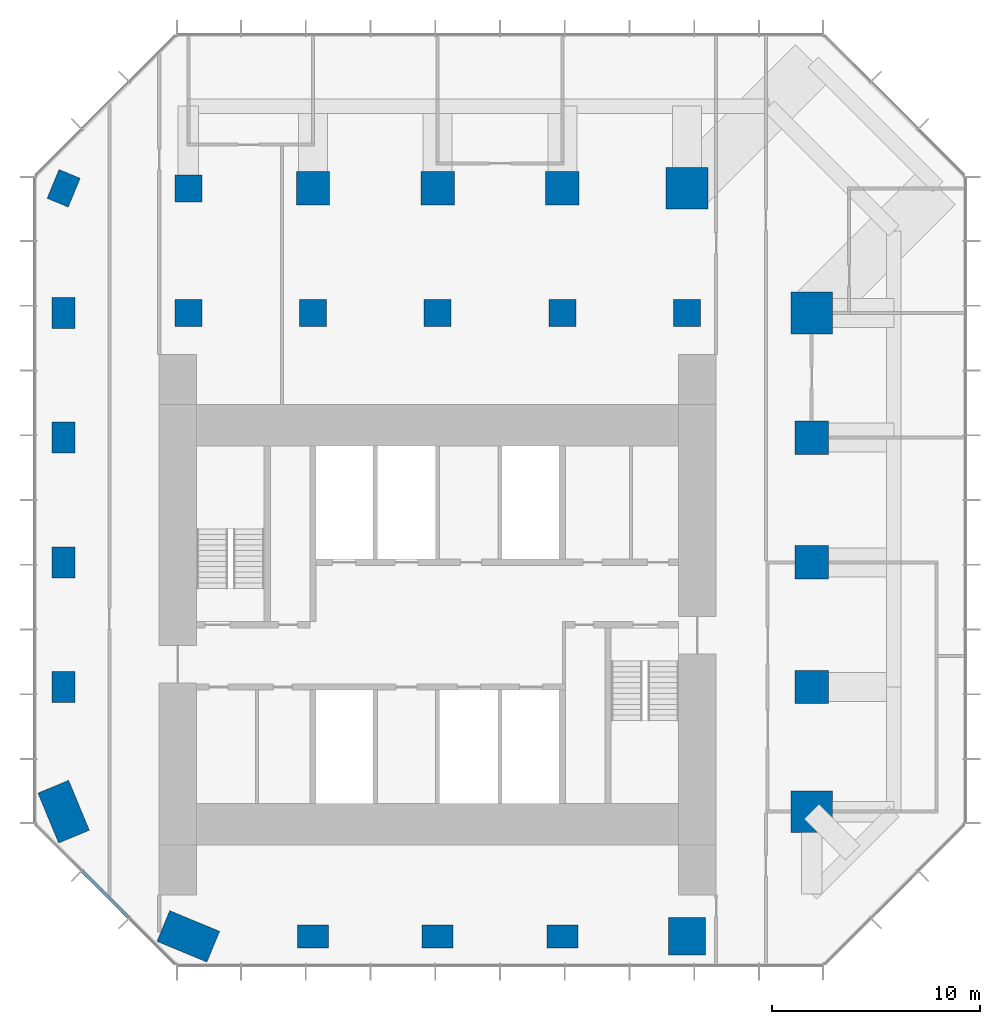
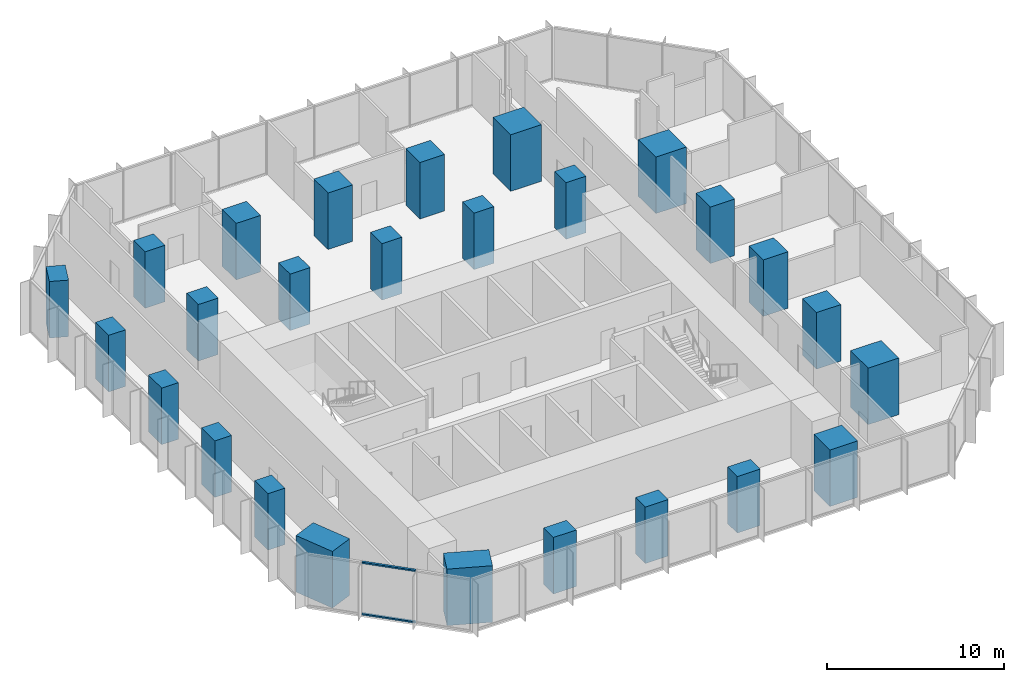
# One storey, part 1 of 11: 26 columns, 2 members, 1 element without a shape of its own.
"""IFC4 building model written with IfcOpenShell, lengths in metres."""

from ifc_helpers import new_model, si_unit, direction, frame, origin, origin_2d, place, context, subcontext, project, spatial, rectangle, extrude, material, layer, layer_set, material_profile, profile_set, type_object, element, aggregate, save


model = new_model("IFC4")

# Units and contexts
model_context = context("Model", 3, precision=1e-05, world=origin(), true_north=direction((0.0, 1.0)))
body_context = subcontext(model_context, "Body", "Model", "MODEL_VIEW")
ifc_project = project(units=[si_unit("LENGTHUNIT", "METRE"), si_unit("AREAUNIT", "SQUARE_METRE"), si_unit("VOLUMEUNIT", "CUBIC_METRE"), si_unit("PLANEANGLEUNIT", "RADIAN"), si_unit("MASSUNIT", "GRAM", prefix="KILO")], contexts=[model_context])

# Site, building, storey
site_placement = place(None, origin())
site = spatial("IfcSite", under=ifc_project, at=site_placement, CompositionType="ELEMENT")
building_placement = place(site_placement, origin())
building = spatial("IfcBuilding", under=site, at=building_placement, Name="Highveld Stack Headquarters", CompositionType="ELEMENT")
storey_placement = place(building_placement, frame((0.0, 0.0, 169.39990234375)))
storey = spatial("IfcBuildingStorey", under=building, at=storey_placement, Name="L41", CompositionType="ELEMENT", Elevation=169.39990234375)

# Columns
ifc_material_1 = material(Name="Concrete C60/75", Category="concrete")
ifc_material_profile_1 = material_profile(ifc_material_1, rectangle(XDim=1.300048828125, YDim=1.300048828125, at=origin_2d()), Name="RC 1300x1300")
ifc_profile_set_1 = profile_set([ifc_material_profile_1], Name="Concrete C60/75")
column_type_1 = type_object("IfcColumnType", Name="COLUMN RC 1300x1300 C60/75", PredefinedType="COLUMN", material=ifc_profile_set_1)
for number, where, z_axis, x_axis, name in (
    (1, (-6.0, 18.0, 0.0), (0.0, 0.0, 1.0), (1.0, 0.0, 0.0), "Column 5/H L41"),
    (2, (-6.0, 24.0, 0.0), (0.0, 0.0, 1.0), (1.0, 0.0, 0.0), "Column 5/J L41"),
    (3, (0.0, 18.0, 0.0), (0.0, 0.0, 1.0), (1.0, 0.0, 0.0), "Column 6/H L41"),
    (4, (6.0, 18.0, 0.0), (0.0, 0.0, 1.0), (1.0, 0.0, 0.0), "Column 7/H L41"),
    (5, (12.0, 18.0, 0.0), (0.0, 0.0, 1.0), (1.0, 0.0, 0.0), "Column 8/H L41"),
    (6, (18.0, 18.0, 0.0), (0.0, 0.0, 1.0), (1.0, 0.0, 0.0), "Column 9/H L41"),
):
    element("IfcColumn", number, at=place(storey_placement, frame(where, z_axis=z_axis, x_axis=x_axis)), inside=storey, type_object=column_type_1, Name=name, PredefinedType="COLUMN", context=body_context, shape_type="SweptSolid", body=[
        extrude(rectangle(XDim=1.300048828125, YDim=1.300048828125, at=origin_2d()), origin(), (0.0, 0.0, 1.0), 3.900146484375),
    ])
ifc_material_2 = material(Name="Concrete C60/75", Category="concrete")
ifc_material_profile_2 = material_profile(ifc_material_2, rectangle(XDim=1.5, YDim=1.10009765625, at=origin_2d()), Name="RC 1500x1100")
ifc_profile_set_2 = profile_set([ifc_material_profile_2], Name="Concrete C60/75")
column_type_2 = type_object("IfcColumnType", Name="COLUMN RC 1500x1100 C60/75", PredefinedType="COLUMN", material=ifc_profile_set_2)
for number, where, z_axis, x_axis, name in (
    (7, (-12.0, 0.0, 0.0), (0.0, 0.0, 1.0), (0.0, 1.0, 0.0), "Column 4/E L41"),
    (8, (-12.0, 6.0, 0.0), (0.0, 0.0, 1.0), (0.0, 1.0, 0.0), "Column 4/F L41"),
    (9, (-12.0, 12.0, 0.0), (0.0, 0.0, 1.0), (0.0, 1.0, 0.0), "Column 4/G L41"),
    (10, (-12.0, 18.0, 0.0), (0.0, 0.0, 1.0), (0.0, 1.0, 0.0), "Column 4/H L41"),
    (11, (-12.0, 24.0, 0.0), (0.0, 0.0, 1.0), (0.382683432365, 0.923879532511, 0.0), "Column 4/J L41"),
    (12, (0.0, -12.0, 0.0), (0.0, 0.0, 1.0), (1.0, 0.0, 0.0), "Column 6/C L41"),
    (13, (6.0, -12.0, 0.0), (0.0, 0.0, 1.0), (1.0, 0.0, 0.0), "Column 7/C L41"),
    (14, (12.0, -12.0, 0.0), (0.0, 0.0, 1.0), (1.0, 0.0, 0.0), "Column 8/C L41"),
):
    element("IfcColumn", number, at=place(storey_placement, frame(where, z_axis=z_axis, x_axis=x_axis)), inside=storey, type_object=column_type_2, Name=name, PredefinedType="COLUMN", context=body_context, shape_type="SweptSolid", body=[
        extrude(rectangle(XDim=1.5, YDim=1.10009765625, at=origin_2d()), origin(), (0.0, 0.0, 1.0), 3.900146484375),
    ])
ifc_material_3 = material(Name="Concrete C60/75", Category="concrete")
ifc_material_profile_3 = material_profile(ifc_material_3, rectangle(XDim=1.60009765625, YDim=1.60009765625, at=origin_2d()), Name="RC 1600x1600")
ifc_profile_set_3 = profile_set([ifc_material_profile_3], Name="Concrete C60/75")
column_type_3 = type_object("IfcColumnType", Name="COLUMN RC 1600x1600 C60/75", PredefinedType="COLUMN", material=ifc_profile_set_3)
for number, where, z_axis, x_axis, name in (
    (15, (0.0, 24.0, 0.0), (0.0, 0.0, 1.0), (1.0, 0.0, 0.0), "Column 6/J L41"),
    (16, (6.0, 24.0, 0.0), (0.0, 0.0, 1.0), (1.0, 0.0, 0.0), "Column 7/J L41"),
    (17, (12.0, 24.0, 0.0), (0.0, 0.0, 1.0), (1.0, 0.0, 0.0), "Column 8/J L41"),
    (18, (24.0, 0.0, 0.0), (0.0, 0.0, 1.0), (1.0, 0.0, 0.0), "Column 10/E L41"),
    (19, (24.0, 6.0, 0.0), (0.0, 0.0, 1.0), (1.0, 0.0, 0.0), "Column 10/F L41"),
    (20, (24.0, 12.0, 0.0), (0.0, 0.0, 1.0), (1.0, 0.0, 0.0), "Column 10/G L41"),
):
    element("IfcColumn", number, at=place(storey_placement, frame(where, z_axis=z_axis, x_axis=x_axis)), inside=storey, type_object=column_type_3, Name=name, PredefinedType="COLUMN", context=body_context, shape_type="SweptSolid", body=[
        extrude(rectangle(XDim=1.60009765625, YDim=1.60009765625, at=origin_2d()), origin(), (0.0, 0.0, 1.0), 3.900146484375),
    ])
ifc_material_4 = material(Name="Concrete C60/75", Category="concrete")
ifc_material_profile_4 = material_profile(ifc_material_4, rectangle(XDim=1.800048828125, YDim=1.800048828125, at=origin_2d()), Name="RC 1800x1800")
ifc_profile_set_4 = profile_set([ifc_material_profile_4], Name="Concrete C60/75")
column_type_4 = type_object("IfcColumnType", Name="COLUMN RC 1800x1800 C60/75", PredefinedType="COLUMN", material=ifc_profile_set_4)
column_placement = place(storey_placement, frame((18.0, -12.0, 0.0), z_axis=(0.0, 0.0, 1.0), x_axis=(1.0, 0.0, 0.0)))
element("IfcColumn", 21, at=column_placement, inside=storey, type_object=column_type_4, Name="Column 9/C L41", PredefinedType="COLUMN", context=body_context, shape_type="SweptSolid", body=[
    extrude(rectangle(XDim=1.800048828125, YDim=1.800048828125, at=origin_2d()), origin(), (0.0, 0.0, 1.0), 3.900146484375),
])
ifc_material_5 = material(Name="Concrete C60/75", Category="concrete")
ifc_material_profile_5 = material_profile(ifc_material_5, rectangle(XDim=2.0, YDim=2.0, at=origin_2d()), Name="RC 2000x2000")
ifc_profile_set_5 = profile_set([ifc_material_profile_5], Name="Concrete C60/75")
column_type_5 = type_object("IfcColumnType", Name="COLUMN RC 2000x2000 C60/75", PredefinedType="COLUMN", material=ifc_profile_set_5)
for number, where, z_axis, x_axis, name in (
    (22, (18.0, 24.0, 0.0), (0.0, 0.0, 1.0), (1.0, 0.0, 0.0), "Column 9/J L41"),
    (23, (24.0, -6.0, 0.0), (0.0, 0.0, 1.0), (1.0, 0.0, 0.0), "Column 10/D L41"),
    (24, (24.0, 18.0, 0.0), (0.0, 0.0, 1.0), (1.0, 0.0, 0.0), "Column 10/H L41"),
):
    element("IfcColumn", number, at=place(storey_placement, frame(where, z_axis=z_axis, x_axis=x_axis)), inside=storey, type_object=column_type_5, Name=name, PredefinedType="COLUMN", context=body_context, shape_type="SweptSolid", body=[
        extrude(rectangle(XDim=2.0, YDim=2.0, at=origin_2d()), origin(), (0.0, 0.0, 1.0), 3.900146484375),
    ])
ifc_material_6 = material(Name="Concrete C60/75", Category="concrete")
ifc_material_profile_6 = material_profile(ifc_material_6, rectangle(XDim=2.60009765625, YDim=1.60009765625, at=origin_2d()), Name="RC 2600x1600")
ifc_profile_set_6 = profile_set([ifc_material_profile_6], Name="Concrete C60/75")
column_type_6 = type_object("IfcColumnType", Name="COLUMN RC 2600x1600 C60/75", PredefinedType="COLUMN", material=ifc_profile_set_6)
for number, where, z_axis, x_axis, name in (
    (25, (-12.0, -6.0, 0.0), (0.0, 0.0, 1.0), (-0.382683432365, 0.923879532511, 0.0), "Column 4/D L41"),
    (26, (-6.0, -12.0, 0.0), (0.0, 0.0, 1.0), (-0.923879532511, 0.382683432365, 0.0), "Column 5/C L41"),
):
    element("IfcColumn", number, at=place(storey_placement, frame(where, z_axis=z_axis, x_axis=x_axis)), inside=storey, type_object=column_type_6, Name=name, PredefinedType="COLUMN", context=body_context, shape_type="SweptSolid", body=[
        extrude(rectangle(XDim=2.60009765625, YDim=1.60009765625, at=origin_2d()), origin(), (0.0, 0.0, 1.0), 3.900146484375),
    ])

# Curtain wall, members
ifc_material_7 = material(Name="Aluminium bronze anodised", Category="aluminium")
ifc_layer = layer(ifc_material_7, 0.199951171875)
ifc_layer_set = layer_set([ifc_layer], Name="Aluminium bronze anodised")
curtain_wall_type = type_object("IfcCurtainWallType", Name="CW6 SKY LOBBY UNITISED CURTAIN WALL", PredefinedType="NOTDEFINED", material=ifc_layer_set)
curtain_wall_placement = place(storey_placement, origin())
curtain_wall = element("IfcCurtainWall", 27, at=curtain_wall_placement, inside=storey, type_object=curtain_wall_type, Name="Curtain wall CW6 L41 SW", PredefinedType="NOTDEFINED")
ifc_material_8 = material(Name="Aluminium bronze anodised", Category="aluminium")
ifc_material_profile_7 = material_profile(ifc_material_8, rectangle(XDim=0.14990234375, YDim=0.10009765625, at=origin_2d()), Name="CW6 TRANSOM 150x100")
ifc_profile_set_7 = profile_set([ifc_material_profile_7], Name="Aluminium bronze anodised")
member_type = type_object("IfcMemberType", Name="CW6 STACK TRANSOM 150x100", PredefinedType="USERDEFINED", material=ifc_profile_set_7)
member_1_placement = place(storey_placement, frame((-11.103759765625, -8.876220703125, 0.050048828125), z_axis=(0.707106781187, -0.707106781187, 0.0), x_axis=(0.707106781187, 0.707106781187, 0.0)))
member_1 = element("IfcMember", 28, at=member_1_placement, type_object=member_type, Name="CW6 transom L41 2.1", ObjectType="TRANSOM", PredefinedType="USERDEFINED", context=body_context, shape_type="SweptSolid", body=[
    extrude(rectangle(XDim=0.14990234375, YDim=0.10009765625, at=origin_2d()), origin(), (0.0, 0.0, 1.0), 3.150146484375),
])
member_2_placement = place(storey_placement, frame((-11.103759765625, -8.876220703125, 3.60009765625), z_axis=(0.707106781187, -0.707106781187, 0.0), x_axis=(0.707106781187, 0.707106781187, 0.0)))
member_2 = element("IfcMember", 29, at=member_2_placement, type_object=member_type, Name="CW6 transom L41 2.2", ObjectType="TRANSOM", PredefinedType="USERDEFINED", context=body_context, shape_type="SweptSolid", body=[
    extrude(rectangle(XDim=0.14990234375, YDim=0.10009765625, at=origin_2d()), origin(), (0.0, 0.0, 1.0), 3.150146484375),
])
aggregate(curtain_wall, [member_1, member_2])

save(model, "model.ifc")
